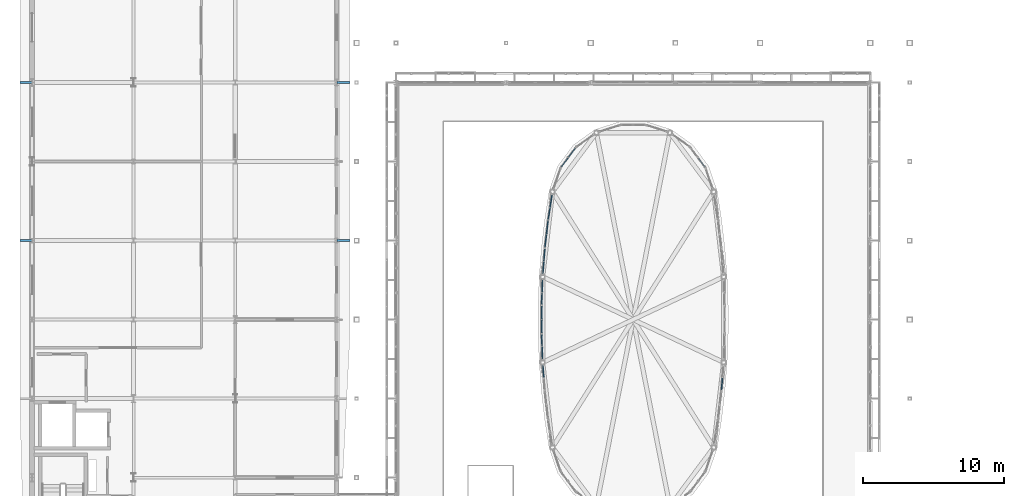
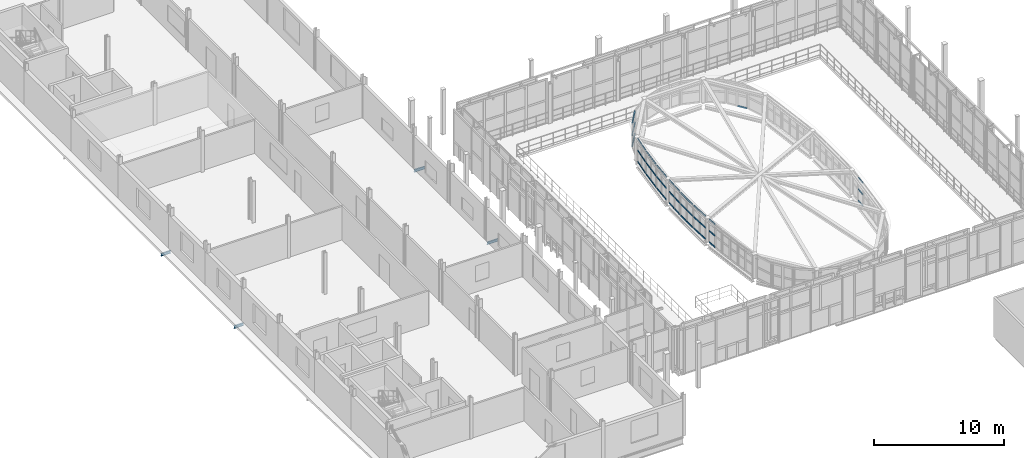
# One storey, part 46 of 78: 49 members, 4 beams, 10 elements without a shape of their own.
"""IFC4 building model written with IfcOpenShell, lengths in metres."""

import ifcopenshell
import ifcopenshell.guid

model = None  # the IFC model being written
_history = None  # IfcOwnerHistory: only IFC2X3 demands one
_inside = {}  # id of a spatial element -> (the spatial element, [elements in it])
_under = {}  # id of a project, library or spatial element -> (it, [spatial elements below it])
_declared = {}  # id of a project -> (the project, [libraries it declares])
_typed = {}  # id of a type object -> (the type object, [elements of that type])
_made_of = {}  # id of a material, layer set ... -> (it, [elements and type objects made of it])


def new_model(schema):
    """Start an empty IFC model of exactly this schema.

    Asked for "IFC4X3", IfcOpenShell would pick the latest addendum, in which some entities
    have other attributes; the version numbers below select the first issue.
    IFC2X3 requires an IfcOwnerHistory on every rooted entity: one is made here for all.
    """
    global model, _history
    if schema == "IFC4X3":
        model = ifcopenshell.file(schema_version=(4, 3, 0, 0))
    else:
        model = ifcopenshell.file(schema=schema)
    _inside.clear()
    _under.clear()
    _declared.clear()
    _typed.clear()
    _made_of.clear()
    _history = None
    if model.schema == "IFC2X3":
        org = make("IfcOrganization", Name="unknown")
        user = make(
            "IfcPersonAndOrganization",
            ThePerson=make("IfcPerson", FamilyName="unknown"),
            TheOrganization=org,
        )
        app = make(
            "IfcApplication",
            ApplicationDeveloper=org,
            Version="unknown",
            ApplicationFullName="unknown",
            ApplicationIdentifier="unknown",
        )
        _history = make(
            "IfcOwnerHistory",
            OwningUser=user,
            OwningApplication=app,
            ChangeAction="ADDED",
            CreationDate=0,
        )
    return model


def make(cls, **values):
    """One entity of the class cls with the attributes given. An attribute that is None is left unset."""
    return model.create_entity(
        cls, **{name: value for name, value in values.items() if value is not None}
    )


def rooted(cls, **values):
    """An entity with a GlobalId (a new one), such as an element, a storey or a relation."""
    return make(cls, GlobalId=ifcopenshell.guid.new(), OwnerHistory=_history, **values)


def si_unit(unit_type, name, prefix=None):
    """IfcSIUnit, for example si_unit("LENGTHUNIT", "METRE", prefix="MILLI")."""
    return make("IfcSIUnit", UnitType=unit_type, Prefix=prefix, Name=name)


def assignment(units):
    """IfcUnitAssignment: the units of a project."""
    return None if units is None else make("IfcUnitAssignment", Units=units)


def point(xyz):
    """IfcCartesianPoint."""
    return None if xyz is None else make("IfcCartesianPoint", Coordinates=xyz)


def direction(xyz):
    """IfcDirection."""
    return None if xyz is None else make("IfcDirection", DirectionRatios=xyz)


def frame(location, z_axis=None, x_axis=None):
    """IfcAxis2Placement3D, a coordinate frame: its origin and axes. An axis left out is left unset."""
    return make(
        "IfcAxis2Placement3D",
        Location=point(location),
        Axis=direction(z_axis),
        RefDirection=direction(x_axis),
    )


def frame_2d(location, x_axis=None):
    """IfcAxis2Placement2D, a coordinate frame in the plane: its origin and x axis."""
    return make(
        "IfcAxis2Placement2D", Location=point(location), RefDirection=direction(x_axis)
    )


def origin():
    """The frame at (0, 0, 0) with its axes left unset."""
    return frame((0.0, 0.0, 0.0))


def origin_2d():
    """The frame at (0, 0) in the plane with its x axis left unset."""
    return frame_2d((0.0, 0.0))


def place(relative_to, where):
    """IfcLocalPlacement: puts the frame where relative to a parent placement (None: the world)."""
    return make(
        "IfcLocalPlacement", PlacementRelTo=relative_to, RelativePlacement=where
    )


def context(
    kind, dimensions, precision=None, world=None, true_north=None, identifier=None
):
    """IfcGeometricRepresentationContext, for example the 3D "Model" context."""
    return make(
        "IfcGeometricRepresentationContext",
        ContextIdentifier=identifier,
        ContextType=kind,
        CoordinateSpaceDimension=dimensions,
        Precision=precision,
        WorldCoordinateSystem=world,
        TrueNorth=true_north,
    )


def subcontext(parent, identifier, kind, view, scale=None):
    """IfcGeometricRepresentationSubContext, for example "Body" below "Model"."""
    return make(
        "IfcGeometricRepresentationSubContext",
        ContextIdentifier=identifier,
        ContextType=kind,
        ParentContext=parent,
        TargetScale=scale,
        TargetView=view,
    )


def project(units=None, contexts=None):
    """IfcProject with its units and contexts."""
    return rooted(
        "IfcProject",
        Name="project",
        RepresentationContexts=contexts,
        UnitsInContext=assignment(units),
    )


def spatial(cls, under=None, at=None, **own):
    """A site, building, storey or space (cls), placed at a placement, below another one or the project."""
    s = rooted(cls, ObjectPlacement=at, **own)
    if under is not None:
        _under.setdefault(under.id(), (under, []))[1].append(s)
    return s


def profile(cls, at=None, kind="AREA", **sizes):
    """A parametric profile (cls). Its sizes go by their IFC names, for example OverallWidth=200.0."""
    return make(cls, ProfileType=kind, Position=at, **sizes)


def hollow_rectangle(**sizes):
    """IfcRectangleHollowProfileDef."""
    return profile("IfcRectangleHollowProfileDef", **sizes)


def i_section(**sizes):
    """IfcIShapeProfileDef."""
    return profile("IfcIShapeProfileDef", **sizes)


def extrude(swept, where, along, depth):
    """IfcExtrudedAreaSolid: the profile swept, set in the frame where, extruded along a direction by depth."""
    return make(
        "IfcExtrudedAreaSolid",
        SweptArea=swept,
        Position=where,
        ExtrudedDirection=direction(along),
        Depth=depth,
    )


def shape(context_of_items, identifier, shape_type, items):
    """IfcShapeRepresentation: the items that make up one representation, for example the "Body"."""
    return make(
        "IfcShapeRepresentation",
        ContextOfItems=context_of_items,
        RepresentationIdentifier=identifier,
        RepresentationType=shape_type,
        Items=items,
    )


def material(Name=None, Category=None):
    """IfcMaterial."""
    return make("IfcMaterial", Name=Name, Category=Category)


def layer(
    of_material, thickness, ventilated=None, Name=None, Category=None, Priority=None
):
    """IfcMaterialLayer: one layer of a wall or slab, of a material (None: an air gap)."""
    return make(
        "IfcMaterialLayer",
        Material=of_material,
        LayerThickness=thickness,
        IsVentilated=ventilated,
        Name=Name,
        Category=Category,
        Priority=Priority,
    )


def layer_set(layers, Name=None):
    """IfcMaterialLayerSet."""
    return make("IfcMaterialLayerSet", MaterialLayers=layers, LayerSetName=Name)


def material_profile(
    of_material, cross_section, Name=None, Category=None, Priority=None
):
    """IfcMaterialProfile: a cross section and its material."""
    return make(
        "IfcMaterialProfile",
        Name=Name,
        Material=of_material,
        Profile=cross_section,
        Priority=Priority,
        Category=Category,
    )


def profile_set(profiles, Name=None, composite=None):
    """IfcMaterialProfileSet."""
    return make(
        "IfcMaterialProfileSet",
        Name=Name,
        MaterialProfiles=profiles,
        CompositeProfile=composite,
    )


def made_of(thing, what):
    """Note that an element or type object is made of a material, layer set ...; save() writes the relation."""
    if what is not None:
        _made_of.setdefault(what.id(), (what, []))[1].append(thing)
    return thing


def type_object(cls, material=None, **own):
    """A type object (cls), such as IfcWallType, which elements share."""
    return made_of(rooted(cls, **own), material)


def element(
    cls,
    number,
    at=None,
    inside=None,
    cuts=None,
    type_object=None,
    material=None,
    context=None,
    identifier="Body",
    shape_type=None,
    held_by="IfcProductDefinitionShape",
    body=None,
    shapes=None,
    **own,
):
    """One element of the class cls, such as IfcWall. Its Tag is "e" and its number.

    at: its placement. inside: the storey or other place that contains it. cuts: it is an
    opening in that element (IfcRelVoidsElement). A single representation is given by context,
    identifier, shape_type and body (its items); several are given by shapes. held_by: the class
    of the entity that holds the representations. save() writes the other relations.
    """
    e = rooted(cls, Tag="e%d" % number, ObjectPlacement=at, **own)
    if body is not None:
        shapes = [shape(context, identifier, shape_type, body)]
    if shapes is not None:
        e.Representation = make(held_by, Representations=shapes)
    if inside is not None:
        _inside.setdefault(inside.id(), (inside, []))[1].append(e)
    if cuts is not None:
        rooted(
            "IfcRelVoidsElement", RelatingBuildingElement=cuts, RelatedOpeningElement=e
        )
    if type_object is not None:
        _typed.setdefault(type_object.id(), (type_object, []))[1].append(e)
    return made_of(e, material)


def aggregate(whole, parts):
    """IfcRelAggregates: a whole, such as a stair, and the parts it consists of."""
    return rooted("IfcRelAggregates", RelatingObject=whole, RelatedObjects=parts)


def save(model, path):
    """Write the relations noted so far, then the file.

    IfcRelAggregates (storeys below a building ...), IfcRelContainedInSpatialStructure (elements
    in a storey), IfcRelDefinesByType, IfcRelAssociatesMaterial and IfcRelDeclares: one each for
    every whole, place, type object, material and project.
    """
    for whole, parts in _under.values():
        aggregate(whole, parts)
    for where, things in _inside.values():
        rooted(
            "IfcRelContainedInSpatialStructure",
            RelatedElements=things,
            RelatingStructure=where,
        )
    for kind, things in _typed.values():
        rooted("IfcRelDefinesByType", RelatedObjects=things, RelatingType=kind)
    for what, things in _made_of.values():
        rooted("IfcRelAssociatesMaterial", RelatedObjects=things, RelatingMaterial=what)
    for by, libraries in _declared.values():
        rooted("IfcRelDeclares", RelatingContext=by, RelatedDefinitions=libraries)
    model.write(path)


model = new_model("IFC4")

# Units and contexts
model_context = context("Model", 3, precision=1e-05, world=origin(), true_north=direction((0.0, 1.0)))
body_context = subcontext(model_context, "Body", "Model", "MODEL_VIEW")
ifc_project = project(units=[si_unit("LENGTHUNIT", "METRE"), si_unit("AREAUNIT", "SQUARE_METRE"), si_unit("VOLUMEUNIT", "CUBIC_METRE"), si_unit("PLANEANGLEUNIT", "RADIAN"), si_unit("MASSUNIT", "GRAM", prefix="KILO")], contexts=[model_context])

# Site, building, storey
site_placement = place(None, origin())
site = spatial("IfcSite", under=ifc_project, at=site_placement, CompositionType="ELEMENT")
building_placement = place(site_placement, origin())
building = spatial("IfcBuilding", under=site, at=building_placement, Name="Vinh Khe Railworks Police Headquarters", CompositionType="ELEMENT")
storey_placement = place(building_placement, frame((0.0, 0.0, 13.199951171875)))
storey = spatial("IfcBuildingStorey", under=building, at=storey_placement, Name="L03", CompositionType="ELEMENT", Elevation=13.199951171875)

# Beams
ifc_material_1 = material(Name="Steel S355JR", Category="steel")
ifc_material_profile_1 = material_profile(ifc_material_1, i_section(OverallWidth=0.1201171875, OverallDepth=0.239990234375, WebThickness=0.006103515625, FlangeThickness=0.009765625, FilletRadius=0.014892578125, at=origin_2d()), Name="IPE 240")
ifc_profile_set_1 = profile_set([ifc_material_profile_1], Name="Steel S355JR")
beam_type = type_object("IfcBeamType", Name="Monsoon Hood Outrigger IPE 240", PredefinedType="BEAM", material=ifc_profile_set_1)
for number, where, z_axis, x_axis, name in (
    (1, (-0.25, 47.60009765625, -0.35986328125), (1.0, 0.0, 0.0), (0.0, 1.0, 0.0), "Monsoon Sun-Hood Outrigger L03-044"),
    (2, (-0.25, 58.800048828125, -0.35986328125), (1.0, 0.0, 0.0), (0.0, 1.0, 0.0), "Monsoon Sun-Hood Outrigger L03-045"),
):
    element("IfcBeam", number, at=place(storey_placement, frame(where, z_axis=z_axis, x_axis=x_axis)), inside=storey, type_object=beam_type, Name=name, PredefinedType="BEAM", context=body_context, shape_type="SweptSolid", body=[
        extrude(i_section(OverallWidth=0.1201171875, OverallDepth=0.239990234375, WebThickness=0.006103515625, FlangeThickness=0.009765625, FilletRadius=0.014892578125, at=origin_2d()), origin(), (0.0, 0.0, 1.0), 0.85009765625),
    ])
for number, where, z_axis, x_axis, name in (
    (3, (22.199951171875, 47.60009765625, -0.35986328125), (1.0, 0.0, 0.0), (0.0, 1.0, 0.0), "Monsoon Sun-Hood Outrigger L03-054"),
    (4, (22.199951171875, 58.800048828125, -0.35986328125), (1.0, 0.0, 0.0), (0.0, 1.0, 0.0), "Monsoon Sun-Hood Outrigger L03-055"),
):
    element("IfcBeam", number, at=place(storey_placement, frame(where, z_axis=z_axis, x_axis=x_axis)), inside=storey, type_object=beam_type, Name=name, PredefinedType="BEAM", context=body_context, shape_type="SweptSolid", body=[
        extrude(i_section(OverallWidth=0.1201171875, OverallDepth=0.239990234375, WebThickness=0.006103515625, FlangeThickness=0.009765625, FilletRadius=0.014892578125, at=origin_2d()), origin(), (0.0, 0.0, 1.0), 0.949951171875),
    ])

# Curtain wall, members
ifc_material_2 = material(Name="Anodised aluminium and acoustic laminated glass", Category="aluminium")
ifc_layer = layer(ifc_material_2, 0.159912109375)
ifc_layer_set = layer_set([ifc_layer], Name="Anodised aluminium and acoustic laminated glass")
curtain_wall_type = type_object("IfcCurtainWallType", Name="CW-DRUM-CHORD", PredefinedType="USERDEFINED", material=ifc_layer_set)
curtain_wall_1_placement = place(storey_placement, origin())
curtain_wall_1 = element("IfcCurtainWall", 5, at=curtain_wall_1_placement, inside=storey, type_object=curtain_wall_type, Name="Elliptical Command Drum Glazing L03 Chord 3", ObjectType="DRUM FACADE GLAZING", PredefinedType="USERDEFINED")
ifc_material_3 = material(Name="Anodised aluminium 6063-T6", Category="aluminium")
ifc_material_profile_2 = material_profile(ifc_material_3, hollow_rectangle(XDim=0.06494140625, YDim=0.139892578125, WallThickness=0.00390625, at=origin_2d()), Name="CW-T 65x140x4")
ifc_profile_set_2 = profile_set([ifc_material_profile_2], Name="Anodised aluminium 6063-T6")
member_type = type_object("IfcMemberType", Name="TRAN-CWT-02", PredefinedType="USERDEFINED", material=ifc_profile_set_2)
member_1_placement = place(storey_placement, frame((49.461669921875, 37.016357421875, 0.032470703125), z_axis=(0.07715031633, 0.997019472573, 0.0), x_axis=(-0.997019472573, 0.07715031633, 0.0)))
member_1 = element("IfcMember", 6, at=member_1_placement, type_object=member_type, Name="CW-02 transom 1.1", ObjectType="TRANSOM", PredefinedType="USERDEFINED", context=body_context, shape_type="SweptSolid", body=[
    extrude(hollow_rectangle(XDim=0.06494140625, YDim=0.139892578125, WallThickness=0.00390625, at=origin_2d()), origin(), (0.0, 0.0, 1.0), 0.82275390625),
])
member_2_placement = place(storey_placement, frame((49.461669921875, 37.016357421875, 1.090087890625), z_axis=(0.07715031633, 0.997019472573, 0.0), x_axis=(-0.997019472573, 0.07715031633, 0.0)))
member_2 = element("IfcMember", 7, at=member_2_placement, type_object=member_type, Name="CW-02 transom 1.2", ObjectType="TRANSOM", PredefinedType="USERDEFINED", context=body_context, shape_type="SweptSolid", body=[
    extrude(hollow_rectangle(XDim=0.06494140625, YDim=0.139892578125, WallThickness=0.00390625, at=origin_2d()), origin(), (0.0, 0.0, 1.0), 0.82275390625),
])
member_3_placement = place(storey_placement, frame((49.461669921875, 37.016357421875, 2.1474609375), z_axis=(0.07715031633, 0.997019472573, 0.0), x_axis=(-0.997019472573, 0.07715031633, 0.0)))
member_3 = element("IfcMember", 8, at=member_3_placement, type_object=member_type, Name="CW-02 transom 1.3", ObjectType="TRANSOM", PredefinedType="USERDEFINED", context=body_context, shape_type="SweptSolid", body=[
    extrude(hollow_rectangle(XDim=0.06494140625, YDim=0.139892578125, WallThickness=0.00390625, at=origin_2d()), origin(), (0.0, 0.0, 1.0), 0.82275390625),
])
aggregate(curtain_wall_1, [member_1, member_2, member_3])

# Curtain wall, member
curtain_wall_2_placement = place(storey_placement, origin())
curtain_wall_2 = element("IfcCurtainWall", 9, at=curtain_wall_2_placement, inside=storey, type_object=curtain_wall_type, Name="Elliptical Command Drum Glazing L03 Chord 11", ObjectType="DRUM FACADE GLAZING", PredefinedType="USERDEFINED")
member_4_placement = place(storey_placement, frame((48.29541015625, 52.805908203125, 0.032470703125), z_axis=(-0.596672514384, 0.802484835108, 0.0), x_axis=(-0.802484835108, -0.596672514384, 0.0)))
member_4 = element("IfcMember", 10, at=member_4_placement, type_object=member_type, Name="CW-02 transom 1.1", ObjectType="TRANSOM", PredefinedType="USERDEFINED", context=body_context, shape_type="SweptSolid", body=[
    extrude(hollow_rectangle(XDim=0.06494140625, YDim=0.139892578125, WallThickness=0.00390625, at=origin_2d()), origin(), (0.0, 0.0, 1.0), 0.799560546875),
])
aggregate(curtain_wall_2, [member_4])

# Curtain wall, members
curtain_wall_3_placement = place(storey_placement, origin())
curtain_wall_3 = element("IfcCurtainWall", 11, at=curtain_wall_3_placement, inside=storey, type_object=curtain_wall_type, Name="Elliptical Command Drum Glazing L03 Chord 17", ObjectType="DRUM FACADE GLAZING", PredefinedType="USERDEFINED")
member_5_placement = place(storey_placement, frame((39.09716796875, 54.141357421875, 0.032470703125), z_axis=(-0.596475814623, -0.802631050091, 0.0), x_axis=(0.802631050091, -0.596475814623, 0.0)))
member_5 = element("IfcMember", 12, at=member_5_placement, type_object=member_type, Name="CW-02 transom 1.1", ObjectType="TRANSOM", PredefinedType="USERDEFINED", context=body_context, shape_type="SweptSolid", body=[
    extrude(hollow_rectangle(XDim=0.06494140625, YDim=0.139892578125, WallThickness=0.00390625, at=origin_2d()), origin(), (0.0, 0.0, 1.0), 0.79931640625),
])
member_6_placement = place(storey_placement, frame((39.09716796875, 54.141357421875, 1.090087890625), z_axis=(-0.596475814623, -0.802631050091, 0.0), x_axis=(0.802631050091, -0.596475814623, 0.0)))
member_6 = element("IfcMember", 13, at=member_6_placement, type_object=member_type, Name="CW-02 transom 1.2", ObjectType="TRANSOM", PredefinedType="USERDEFINED", context=body_context, shape_type="SweptSolid", body=[
    extrude(hollow_rectangle(XDim=0.06494140625, YDim=0.139892578125, WallThickness=0.00390625, at=origin_2d()), origin(), (0.0, 0.0, 1.0), 0.79931640625),
])
member_7_placement = place(storey_placement, frame((39.09716796875, 54.141357421875, 2.1474609375), z_axis=(-0.596475814623, -0.802631050091, 0.0), x_axis=(0.802631050091, -0.596475814623, 0.0)))
member_7 = element("IfcMember", 14, at=member_7_placement, type_object=member_type, Name="CW-02 transom 1.3", ObjectType="TRANSOM", PredefinedType="USERDEFINED", context=body_context, shape_type="SweptSolid", body=[
    extrude(hollow_rectangle(XDim=0.06494140625, YDim=0.139892578125, WallThickness=0.00390625, at=origin_2d()), origin(), (0.0, 0.0, 1.0), 0.79931640625),
])
member_8_placement = place(storey_placement, frame((38.58154296875, 53.447509765625, 0.032470703125), z_axis=(-0.596475814623, -0.802631050091, 0.0), x_axis=(0.802631050091, -0.596475814623, 0.0)))
member_8 = element("IfcMember", 15, at=member_8_placement, type_object=member_type, Name="CW-02 transom 2.1", ObjectType="TRANSOM", PredefinedType="USERDEFINED", context=body_context, shape_type="SweptSolid", body=[
    extrude(hollow_rectangle(XDim=0.06494140625, YDim=0.139892578125, WallThickness=0.00390625, at=origin_2d()), origin(), (0.0, 0.0, 1.0), 0.79931640625),
])
member_9_placement = place(storey_placement, frame((38.58154296875, 53.447509765625, 1.090087890625), z_axis=(-0.596475814623, -0.802631050091, 0.0), x_axis=(0.802631050091, -0.596475814623, 0.0)))
member_9 = element("IfcMember", 16, at=member_9_placement, type_object=member_type, Name="CW-02 transom 2.2", ObjectType="TRANSOM", PredefinedType="USERDEFINED", context=body_context, shape_type="SweptSolid", body=[
    extrude(hollow_rectangle(XDim=0.06494140625, YDim=0.139892578125, WallThickness=0.00390625, at=origin_2d()), origin(), (0.0, 0.0, 1.0), 0.79931640625),
])
member_10_placement = place(storey_placement, frame((38.58154296875, 53.447509765625, 2.1474609375), z_axis=(-0.596475814623, -0.802631050091, 0.0), x_axis=(0.802631050091, -0.596475814623, 0.0)))
member_10 = element("IfcMember", 17, at=member_10_placement, type_object=member_type, Name="CW-02 transom 2.3", ObjectType="TRANSOM", PredefinedType="USERDEFINED", context=body_context, shape_type="SweptSolid", body=[
    extrude(hollow_rectangle(XDim=0.06494140625, YDim=0.139892578125, WallThickness=0.00390625, at=origin_2d()), origin(), (0.0, 0.0, 1.0), 0.79931640625),
])
aggregate(curtain_wall_3, [member_5, member_6, member_7, member_8, member_9, member_10])

curtain_wall_4_placement = place(storey_placement, origin())
curtain_wall_4 = element("IfcCurtainWall", 18, at=curtain_wall_4_placement, inside=storey, type_object=curtain_wall_type, Name="Elliptical Command Drum Glazing L03 Chord 19", ObjectType="DRUM FACADE GLAZING", PredefinedType="USERDEFINED")
member_11_placement = place(storey_placement, frame((37.448974609375, 50.811767578125, 0.032470703125), z_axis=(-0.153417265336, -0.988161496263, 0.0), x_axis=(0.988161496263, -0.153417265336, 0.0)))
member_11 = element("IfcMember", 19, at=member_11_placement, type_object=member_type, Name="CW-02 transom 1.1", ObjectType="TRANSOM", PredefinedType="USERDEFINED", context=body_context, shape_type="SweptSolid", body=[
    extrude(hollow_rectangle(XDim=0.06494140625, YDim=0.139892578125, WallThickness=0.00390625, at=origin_2d()), origin(), (0.0, 0.0, 1.0), 0.82275390625),
])
member_12_placement = place(storey_placement, frame((37.448974609375, 50.811767578125, 1.090087890625), z_axis=(-0.153417265336, -0.988161496263, 0.0), x_axis=(0.988161496263, -0.153417265336, 0.0)))
member_12 = element("IfcMember", 20, at=member_12_placement, type_object=member_type, Name="CW-02 transom 1.2", ObjectType="TRANSOM", PredefinedType="USERDEFINED", context=body_context, shape_type="SweptSolid", body=[
    extrude(hollow_rectangle(XDim=0.06494140625, YDim=0.139892578125, WallThickness=0.00390625, at=origin_2d()), origin(), (0.0, 0.0, 1.0), 0.82275390625),
])
member_13_placement = place(storey_placement, frame((37.448974609375, 50.811767578125, 2.1474609375), z_axis=(-0.153417265336, -0.988161496263, 0.0), x_axis=(0.988161496263, -0.153417265336, 0.0)))
member_13 = element("IfcMember", 21, at=member_13_placement, type_object=member_type, Name="CW-02 transom 1.3", ObjectType="TRANSOM", PredefinedType="USERDEFINED", context=body_context, shape_type="SweptSolid", body=[
    extrude(hollow_rectangle(XDim=0.06494140625, YDim=0.139892578125, WallThickness=0.00390625, at=origin_2d()), origin(), (0.0, 0.0, 1.0), 0.82275390625),
])
member_14_placement = place(storey_placement, frame((37.312744140625, 49.9345703125, 0.032470703125), z_axis=(-0.153417265336, -0.988161496263, 0.0), x_axis=(0.988161496263, -0.153417265336, 0.0)))
member_14 = element("IfcMember", 22, at=member_14_placement, type_object=member_type, Name="CW-02 transom 2.1", ObjectType="TRANSOM", PredefinedType="USERDEFINED", context=body_context, shape_type="SweptSolid", body=[
    extrude(hollow_rectangle(XDim=0.06494140625, YDim=0.139892578125, WallThickness=0.00390625, at=origin_2d()), origin(), (0.0, 0.0, 1.0), 0.82275390625),
])
member_15_placement = place(storey_placement, frame((37.312744140625, 49.9345703125, 1.090087890625), z_axis=(-0.153417265336, -0.988161496263, 0.0), x_axis=(0.988161496263, -0.153417265336, 0.0)))
member_15 = element("IfcMember", 23, at=member_15_placement, type_object=member_type, Name="CW-02 transom 2.2", ObjectType="TRANSOM", PredefinedType="USERDEFINED", context=body_context, shape_type="SweptSolid", body=[
    extrude(hollow_rectangle(XDim=0.06494140625, YDim=0.139892578125, WallThickness=0.00390625, at=origin_2d()), origin(), (0.0, 0.0, 1.0), 0.82275390625),
])
member_16_placement = place(storey_placement, frame((37.312744140625, 49.9345703125, 2.1474609375), z_axis=(-0.153417265336, -0.988161496263, 0.0), x_axis=(0.988161496263, -0.153417265336, 0.0)))
member_16 = element("IfcMember", 24, at=member_16_placement, type_object=member_type, Name="CW-02 transom 2.3", ObjectType="TRANSOM", PredefinedType="USERDEFINED", context=body_context, shape_type="SweptSolid", body=[
    extrude(hollow_rectangle(XDim=0.06494140625, YDim=0.139892578125, WallThickness=0.00390625, at=origin_2d()), origin(), (0.0, 0.0, 1.0), 0.82275390625),
])
aggregate(curtain_wall_4, [member_11, member_12, member_13, member_14, member_15, member_16])

curtain_wall_5_placement = place(storey_placement, origin())
curtain_wall_5 = element("IfcCurtainWall", 25, at=curtain_wall_5_placement, inside=storey, type_object=curtain_wall_type, Name="Elliptical Command Drum Glazing L03 Chord 20", ObjectType="DRUM FACADE GLAZING", PredefinedType="USERDEFINED")
member_17_placement = place(storey_placement, frame((37.1689453125, 48.992919921875, 0.032470703125), z_axis=(-0.115151416561, -0.993347950752, 0.0), x_axis=(0.993347950752, -0.115151416561, 0.0)))
member_17 = element("IfcMember", 26, at=member_17_placement, type_object=member_type, Name="CW-02 transom 1.1", ObjectType="TRANSOM", PredefinedType="USERDEFINED", context=body_context, shape_type="SweptSolid", body=[
    extrude(hollow_rectangle(XDim=0.06494140625, YDim=0.139892578125, WallThickness=0.00390625, at=origin_2d()), origin(), (0.0, 0.0, 1.0), 0.913818359375),
])
member_18_placement = place(storey_placement, frame((37.1689453125, 48.992919921875, 1.090087890625), z_axis=(-0.115151416561, -0.993347950752, 0.0), x_axis=(0.993347950752, -0.115151416561, 0.0)))
member_18 = element("IfcMember", 27, at=member_18_placement, type_object=member_type, Name="CW-02 transom 1.2", ObjectType="TRANSOM", PredefinedType="USERDEFINED", context=body_context, shape_type="SweptSolid", body=[
    extrude(hollow_rectangle(XDim=0.06494140625, YDim=0.139892578125, WallThickness=0.00390625, at=origin_2d()), origin(), (0.0, 0.0, 1.0), 0.913818359375),
])
member_19_placement = place(storey_placement, frame((37.1689453125, 48.992919921875, 2.1474609375), z_axis=(-0.115151416561, -0.993347950752, 0.0), x_axis=(0.993347950752, -0.115151416561, 0.0)))
member_19 = element("IfcMember", 28, at=member_19_placement, type_object=member_type, Name="CW-02 transom 1.3", ObjectType="TRANSOM", PredefinedType="USERDEFINED", context=body_context, shape_type="SweptSolid", body=[
    extrude(hollow_rectangle(XDim=0.06494140625, YDim=0.139892578125, WallThickness=0.00390625, at=origin_2d()), origin(), (0.0, 0.0, 1.0), 0.913818359375),
])
member_20_placement = place(storey_placement, frame((37.05615234375, 48.020751953125, 0.032470703125), z_axis=(-0.115415034378, -0.993317356055, 0.0), x_axis=(0.993317356055, -0.115415034378, 0.0)))
member_20 = element("IfcMember", 29, at=member_20_placement, type_object=member_type, Name="CW-02 transom 2.1", ObjectType="TRANSOM", PredefinedType="USERDEFINED", context=body_context, shape_type="SweptSolid", body=[
    extrude(hollow_rectangle(XDim=0.06494140625, YDim=0.139892578125, WallThickness=0.00390625, at=origin_2d()), origin(), (0.0, 0.0, 1.0), 0.913818359375),
])
member_21_placement = place(storey_placement, frame((37.05615234375, 48.020751953125, 1.090087890625), z_axis=(-0.115415034378, -0.993317356055, 0.0), x_axis=(0.993317356055, -0.115415034378, 0.0)))
member_21 = element("IfcMember", 30, at=member_21_placement, type_object=member_type, Name="CW-02 transom 2.2", ObjectType="TRANSOM", PredefinedType="USERDEFINED", context=body_context, shape_type="SweptSolid", body=[
    extrude(hollow_rectangle(XDim=0.06494140625, YDim=0.139892578125, WallThickness=0.00390625, at=origin_2d()), origin(), (0.0, 0.0, 1.0), 0.913818359375),
])
member_22_placement = place(storey_placement, frame((37.05615234375, 48.020751953125, 2.1474609375), z_axis=(-0.115415034378, -0.993317356055, 0.0), x_axis=(0.993317356055, -0.115415034378, 0.0)))
member_22 = element("IfcMember", 31, at=member_22_placement, type_object=member_type, Name="CW-02 transom 2.3", ObjectType="TRANSOM", PredefinedType="USERDEFINED", context=body_context, shape_type="SweptSolid", body=[
    extrude(hollow_rectangle(XDim=0.06494140625, YDim=0.139892578125, WallThickness=0.00390625, at=origin_2d()), origin(), (0.0, 0.0, 1.0), 0.913818359375),
])
aggregate(curtain_wall_5, [member_17, member_18, member_19, member_20, member_21, member_22])

curtain_wall_6_placement = place(storey_placement, origin())
curtain_wall_6 = element("IfcCurtainWall", 32, at=curtain_wall_6_placement, inside=storey, type_object=curtain_wall_type, Name="Elliptical Command Drum Glazing L03 Chord 21", ObjectType="DRUM FACADE GLAZING", PredefinedType="USERDEFINED")
member_23_placement = place(storey_placement, frame((36.938232421875, 46.983642578125, 0.032470703125), z_axis=(-0.076855340427, -0.997042254194, 0.0), x_axis=(0.997042254194, -0.076855340427, 0.0)))
member_23 = element("IfcMember", 33, at=member_23_placement, type_object=member_type, Name="CW-02 transom 1.1", ObjectType="TRANSOM", PredefinedType="USERDEFINED", context=body_context, shape_type="SweptSolid", body=[
    extrude(hollow_rectangle(XDim=0.06494140625, YDim=0.139892578125, WallThickness=0.00390625, at=origin_2d()), origin(), (0.0, 0.0, 1.0), 0.82275390625),
])
member_24_placement = place(storey_placement, frame((36.938232421875, 46.983642578125, 1.090087890625), z_axis=(-0.076855340427, -0.997042254194, 0.0), x_axis=(0.997042254194, -0.076855340427, 0.0)))
member_24 = element("IfcMember", 34, at=member_24_placement, type_object=member_type, Name="CW-02 transom 1.2", ObjectType="TRANSOM", PredefinedType="USERDEFINED", context=body_context, shape_type="SweptSolid", body=[
    extrude(hollow_rectangle(XDim=0.06494140625, YDim=0.139892578125, WallThickness=0.00390625, at=origin_2d()), origin(), (0.0, 0.0, 1.0), 0.82275390625),
])
member_25_placement = place(storey_placement, frame((36.938232421875, 46.983642578125, 2.1474609375), z_axis=(-0.076855340427, -0.997042254194, 0.0), x_axis=(0.997042254194, -0.076855340427, 0.0)))
member_25 = element("IfcMember", 35, at=member_25_placement, type_object=member_type, Name="CW-02 transom 1.3", ObjectType="TRANSOM", PredefinedType="USERDEFINED", context=body_context, shape_type="SweptSolid", body=[
    extrude(hollow_rectangle(XDim=0.06494140625, YDim=0.139892578125, WallThickness=0.00390625, at=origin_2d()), origin(), (0.0, 0.0, 1.0), 0.82275390625),
])
member_26_placement = place(storey_placement, frame((36.869873046875, 46.0986328125, 0.032470703125), z_axis=(-0.076855340427, -0.997042254194, 0.0), x_axis=(0.997042254194, -0.076855340427, 0.0)))
member_26 = element("IfcMember", 36, at=member_26_placement, type_object=member_type, Name="CW-02 transom 2.1", ObjectType="TRANSOM", PredefinedType="USERDEFINED", context=body_context, shape_type="SweptSolid", body=[
    extrude(hollow_rectangle(XDim=0.06494140625, YDim=0.139892578125, WallThickness=0.00390625, at=origin_2d()), origin(), (0.0, 0.0, 1.0), 0.82275390625),
])
member_27_placement = place(storey_placement, frame((36.869873046875, 46.0986328125, 1.090087890625), z_axis=(-0.076855340427, -0.997042254194, 0.0), x_axis=(0.997042254194, -0.076855340427, 0.0)))
member_27 = element("IfcMember", 37, at=member_27_placement, type_object=member_type, Name="CW-02 transom 2.2", ObjectType="TRANSOM", PredefinedType="USERDEFINED", context=body_context, shape_type="SweptSolid", body=[
    extrude(hollow_rectangle(XDim=0.06494140625, YDim=0.139892578125, WallThickness=0.00390625, at=origin_2d()), origin(), (0.0, 0.0, 1.0), 0.82275390625),
])
member_28_placement = place(storey_placement, frame((36.869873046875, 46.0986328125, 2.1474609375), z_axis=(-0.076855340427, -0.997042254194, 0.0), x_axis=(0.997042254194, -0.076855340427, 0.0)))
member_28 = element("IfcMember", 38, at=member_28_placement, type_object=member_type, Name="CW-02 transom 2.3", ObjectType="TRANSOM", PredefinedType="USERDEFINED", context=body_context, shape_type="SweptSolid", body=[
    extrude(hollow_rectangle(XDim=0.06494140625, YDim=0.139892578125, WallThickness=0.00390625, at=origin_2d()), origin(), (0.0, 0.0, 1.0), 0.82275390625),
])
aggregate(curtain_wall_6, [member_23, member_24, member_25, member_26, member_27, member_28])

curtain_wall_7_placement = place(storey_placement, origin())
curtain_wall_7 = element("IfcCurtainWall", 39, at=curtain_wall_7_placement, inside=storey, type_object=curtain_wall_type, Name="Elliptical Command Drum Glazing L03 Chord 22", ObjectType="DRUM FACADE GLAZING", PredefinedType="USERDEFINED")
member_29_placement = place(storey_placement, frame((36.778076171875, 44.785400390625, 0.032470703125), z_axis=(-0.038569853867, -0.999255906349, 0.0), x_axis=(0.999255906349, -0.038569853867, 0.0)))
member_29 = element("IfcMember", 40, at=member_29_placement, type_object=member_type, Name="CW-02 transom 1.1", ObjectType="TRANSOM", PredefinedType="USERDEFINED", context=body_context, shape_type="SweptSolid", body=[
    extrude(hollow_rectangle(XDim=0.06494140625, YDim=0.139892578125, WallThickness=0.00390625, at=origin_2d()), origin(), (0.0, 0.0, 1.0), 0.822998046875),
])
member_30_placement = place(storey_placement, frame((36.778076171875, 44.785400390625, 1.090087890625), z_axis=(-0.038569853867, -0.999255906349, 0.0), x_axis=(0.999255906349, -0.038569853867, 0.0)))
member_30 = element("IfcMember", 41, at=member_30_placement, type_object=member_type, Name="CW-02 transom 1.2", ObjectType="TRANSOM", PredefinedType="USERDEFINED", context=body_context, shape_type="SweptSolid", body=[
    extrude(hollow_rectangle(XDim=0.06494140625, YDim=0.139892578125, WallThickness=0.00390625, at=origin_2d()), origin(), (0.0, 0.0, 1.0), 0.822998046875),
])
member_31_placement = place(storey_placement, frame((36.778076171875, 44.785400390625, 2.1474609375), z_axis=(-0.038569853867, -0.999255906349, 0.0), x_axis=(0.999255906349, -0.038569853867, 0.0)))
member_31 = element("IfcMember", 42, at=member_31_placement, type_object=member_type, Name="CW-02 transom 1.3", ObjectType="TRANSOM", PredefinedType="USERDEFINED", context=body_context, shape_type="SweptSolid", body=[
    extrude(hollow_rectangle(XDim=0.06494140625, YDim=0.139892578125, WallThickness=0.00390625, at=origin_2d()), origin(), (0.0, 0.0, 1.0), 0.822998046875),
])
member_32_placement = place(storey_placement, frame((36.743896484375, 43.898193359375, 0.032470703125), z_axis=(-0.038581292077, -0.999255464785, 0.0), x_axis=(0.999255464785, -0.038581292077, 0.0)))
member_32 = element("IfcMember", 43, at=member_32_placement, type_object=member_type, Name="CW-02 transom 2.1", ObjectType="TRANSOM", PredefinedType="USERDEFINED", context=body_context, shape_type="SweptSolid", body=[
    extrude(hollow_rectangle(XDim=0.06494140625, YDim=0.139892578125, WallThickness=0.00390625, at=origin_2d()), origin(), (0.0, 0.0, 1.0), 0.82275390625),
])
member_33_placement = place(storey_placement, frame((36.743896484375, 43.898193359375, 1.090087890625), z_axis=(-0.038581292077, -0.999255464785, 0.0), x_axis=(0.999255464785, -0.038581292077, 0.0)))
member_33 = element("IfcMember", 44, at=member_33_placement, type_object=member_type, Name="CW-02 transom 2.2", ObjectType="TRANSOM", PredefinedType="USERDEFINED", context=body_context, shape_type="SweptSolid", body=[
    extrude(hollow_rectangle(XDim=0.06494140625, YDim=0.139892578125, WallThickness=0.00390625, at=origin_2d()), origin(), (0.0, 0.0, 1.0), 0.82275390625),
])
member_34_placement = place(storey_placement, frame((36.743896484375, 43.898193359375, 2.1474609375), z_axis=(-0.038581292077, -0.999255464785, 0.0), x_axis=(0.999255464785, -0.038581292077, 0.0)))
member_34 = element("IfcMember", 45, at=member_34_placement, type_object=member_type, Name="CW-02 transom 2.3", ObjectType="TRANSOM", PredefinedType="USERDEFINED", context=body_context, shape_type="SweptSolid", body=[
    extrude(hollow_rectangle(XDim=0.06494140625, YDim=0.139892578125, WallThickness=0.00390625, at=origin_2d()), origin(), (0.0, 0.0, 1.0), 0.82275390625),
])
aggregate(curtain_wall_7, [member_29, member_30, member_31, member_32, member_33, member_34])

curtain_wall_8_placement = place(storey_placement, origin())
curtain_wall_8 = element("IfcCurtainWall", 46, at=curtain_wall_8_placement, inside=storey, type_object=curtain_wall_type, Name="Elliptical Command Drum Glazing L03 Chord 23", ObjectType="DRUM FACADE GLAZING", PredefinedType="USERDEFINED")
member_35_placement = place(storey_placement, frame((36.709716796875, 42.9462890625, 0.032470703125), z_axis=(0.0, -1.0, 0.0), x_axis=(1.0, 0.0, 0.0)))
member_35 = element("IfcMember", 47, at=member_35_placement, type_object=member_type, Name="CW-02 transom 1.1", ObjectType="TRANSOM", PredefinedType="USERDEFINED", context=body_context, shape_type="SweptSolid", body=[
    extrude(hollow_rectangle(XDim=0.06494140625, YDim=0.139892578125, WallThickness=0.00390625, at=origin_2d()), origin(), (0.0, 0.0, 1.0), 0.913818359375),
])
member_36_placement = place(storey_placement, frame((36.709716796875, 42.9462890625, 1.090087890625), z_axis=(0.0, -1.0, 0.0), x_axis=(1.0, 0.0, 0.0)))
member_36 = element("IfcMember", 48, at=member_36_placement, type_object=member_type, Name="CW-02 transom 1.2", ObjectType="TRANSOM", PredefinedType="USERDEFINED", context=body_context, shape_type="SweptSolid", body=[
    extrude(hollow_rectangle(XDim=0.06494140625, YDim=0.139892578125, WallThickness=0.00390625, at=origin_2d()), origin(), (0.0, 0.0, 1.0), 0.913818359375),
])
member_37_placement = place(storey_placement, frame((36.709716796875, 42.9462890625, 2.1474609375), z_axis=(0.0, -1.0, 0.0), x_axis=(1.0, 0.0, 0.0)))
member_37 = element("IfcMember", 49, at=member_37_placement, type_object=member_type, Name="CW-02 transom 1.3", ObjectType="TRANSOM", PredefinedType="USERDEFINED", context=body_context, shape_type="SweptSolid", body=[
    extrude(hollow_rectangle(XDim=0.06494140625, YDim=0.139892578125, WallThickness=0.00390625, at=origin_2d()), origin(), (0.0, 0.0, 1.0), 0.913818359375),
])
member_38_placement = place(storey_placement, frame((36.709716796875, 41.967529296875, 0.032470703125), z_axis=(0.0, -1.0, 0.0), x_axis=(1.0, 0.0, 0.0)))
member_38 = element("IfcMember", 50, at=member_38_placement, type_object=member_type, Name="CW-02 transom 2.1", ObjectType="TRANSOM", PredefinedType="USERDEFINED", context=body_context, shape_type="SweptSolid", body=[
    extrude(hollow_rectangle(XDim=0.06494140625, YDim=0.139892578125, WallThickness=0.00390625, at=origin_2d()), origin(), (0.0, 0.0, 1.0), 0.913818359375),
])
member_39_placement = place(storey_placement, frame((36.709716796875, 41.967529296875, 1.090087890625), z_axis=(0.0, -1.0, 0.0), x_axis=(1.0, 0.0, 0.0)))
member_39 = element("IfcMember", 51, at=member_39_placement, type_object=member_type, Name="CW-02 transom 2.2", ObjectType="TRANSOM", PredefinedType="USERDEFINED", context=body_context, shape_type="SweptSolid", body=[
    extrude(hollow_rectangle(XDim=0.06494140625, YDim=0.139892578125, WallThickness=0.00390625, at=origin_2d()), origin(), (0.0, 0.0, 1.0), 0.913818359375),
])
member_40_placement = place(storey_placement, frame((36.709716796875, 41.967529296875, 2.1474609375), z_axis=(0.0, -1.0, 0.0), x_axis=(1.0, 0.0, 0.0)))
member_40 = element("IfcMember", 52, at=member_40_placement, type_object=member_type, Name="CW-02 transom 2.3", ObjectType="TRANSOM", PredefinedType="USERDEFINED", context=body_context, shape_type="SweptSolid", body=[
    extrude(hollow_rectangle(XDim=0.06494140625, YDim=0.139892578125, WallThickness=0.00390625, at=origin_2d()), origin(), (0.0, 0.0, 1.0), 0.913818359375),
])
aggregate(curtain_wall_8, [member_35, member_36, member_37, member_38, member_39, member_40])

curtain_wall_9_placement = place(storey_placement, origin())
curtain_wall_9 = element("IfcCurtainWall", 53, at=curtain_wall_9_placement, inside=storey, type_object=curtain_wall_type, Name="Elliptical Command Drum Glazing L03 Chord 24", ObjectType="DRUM FACADE GLAZING", PredefinedType="USERDEFINED")
member_41_placement = place(storey_placement, frame((36.712158203125, 40.923828125, 0.032470703125), z_axis=(0.038581292077, -0.999255464785, 0.0), x_axis=(0.999255464785, 0.038581292077, 0.0)))
member_41 = element("IfcMember", 54, at=member_41_placement, type_object=member_type, Name="CW-02 transom 1.1", ObjectType="TRANSOM", PredefinedType="USERDEFINED", context=body_context, shape_type="SweptSolid", body=[
    extrude(hollow_rectangle(XDim=0.06494140625, YDim=0.139892578125, WallThickness=0.00390625, at=origin_2d()), origin(), (0.0, 0.0, 1.0), 0.82275390625),
])
member_42_placement = place(storey_placement, frame((36.712158203125, 40.923828125, 1.090087890625), z_axis=(0.038581292077, -0.999255464785, 0.0), x_axis=(0.999255464785, 0.038581292077, 0.0)))
member_42 = element("IfcMember", 55, at=member_42_placement, type_object=member_type, Name="CW-02 transom 1.2", ObjectType="TRANSOM", PredefinedType="USERDEFINED", context=body_context, shape_type="SweptSolid", body=[
    extrude(hollow_rectangle(XDim=0.06494140625, YDim=0.139892578125, WallThickness=0.00390625, at=origin_2d()), origin(), (0.0, 0.0, 1.0), 0.82275390625),
])
member_43_placement = place(storey_placement, frame((36.712158203125, 40.923828125, 2.1474609375), z_axis=(0.038581292077, -0.999255464785, 0.0), x_axis=(0.999255464785, 0.038581292077, 0.0)))
member_43 = element("IfcMember", 56, at=member_43_placement, type_object=member_type, Name="CW-02 transom 1.3", ObjectType="TRANSOM", PredefinedType="USERDEFINED", context=body_context, shape_type="SweptSolid", body=[
    extrude(hollow_rectangle(XDim=0.06494140625, YDim=0.139892578125, WallThickness=0.00390625, at=origin_2d()), origin(), (0.0, 0.0, 1.0), 0.82275390625),
])
member_44_placement = place(storey_placement, frame((36.746337890625, 40.036865234375, 0.032470703125), z_axis=(0.038569853867, -0.999255906349, 0.0), x_axis=(0.999255906349, 0.038569853867, 0.0)))
member_44 = element("IfcMember", 57, at=member_44_placement, type_object=member_type, Name="CW-02 transom 2.1", ObjectType="TRANSOM", PredefinedType="USERDEFINED", context=body_context, shape_type="SweptSolid", body=[
    extrude(hollow_rectangle(XDim=0.06494140625, YDim=0.139892578125, WallThickness=0.00390625, at=origin_2d()), origin(), (0.0, 0.0, 1.0), 0.822998046875),
])
member_45_placement = place(storey_placement, frame((36.746337890625, 40.036865234375, 1.090087890625), z_axis=(0.038569853867, -0.999255906349, 0.0), x_axis=(0.999255906349, 0.038569853867, 0.0)))
member_45 = element("IfcMember", 58, at=member_45_placement, type_object=member_type, Name="CW-02 transom 2.2", ObjectType="TRANSOM", PredefinedType="USERDEFINED", context=body_context, shape_type="SweptSolid", body=[
    extrude(hollow_rectangle(XDim=0.06494140625, YDim=0.139892578125, WallThickness=0.00390625, at=origin_2d()), origin(), (0.0, 0.0, 1.0), 0.822998046875),
])
member_46_placement = place(storey_placement, frame((36.746337890625, 40.036865234375, 2.1474609375), z_axis=(0.038569853867, -0.999255906349, 0.0), x_axis=(0.999255906349, 0.038569853867, 0.0)))
member_46 = element("IfcMember", 59, at=member_46_placement, type_object=member_type, Name="CW-02 transom 2.3", ObjectType="TRANSOM", PredefinedType="USERDEFINED", context=body_context, shape_type="SweptSolid", body=[
    extrude(hollow_rectangle(XDim=0.06494140625, YDim=0.139892578125, WallThickness=0.00390625, at=origin_2d()), origin(), (0.0, 0.0, 1.0), 0.822998046875),
])
aggregate(curtain_wall_9, [member_41, member_42, member_43, member_44, member_45, member_46])

curtain_wall_10_placement = place(storey_placement, origin())
curtain_wall_10 = element("IfcCurtainWall", 60, at=curtain_wall_10_placement, inside=storey, type_object=curtain_wall_type, Name="Elliptical Command Drum Glazing L03 Chord 25", ObjectType="DRUM FACADE GLAZING", PredefinedType="USERDEFINED")
member_47_placement = place(storey_placement, frame((36.806640625, 38.7216796875, 0.032470703125), z_axis=(0.076855340427, -0.997042254194, 0.0), x_axis=(0.997042254194, 0.076855340427, 0.0)))
member_47 = element("IfcMember", 61, at=member_47_placement, type_object=member_type, Name="CW-02 transom 1.1", ObjectType="TRANSOM", PredefinedType="USERDEFINED", context=body_context, shape_type="SweptSolid", body=[
    extrude(hollow_rectangle(XDim=0.06494140625, YDim=0.139892578125, WallThickness=0.00390625, at=origin_2d()), origin(), (0.0, 0.0, 1.0), 0.82275390625),
])
member_48_placement = place(storey_placement, frame((36.806640625, 38.7216796875, 1.090087890625), z_axis=(0.076855340427, -0.997042254194, 0.0), x_axis=(0.997042254194, 0.076855340427, 0.0)))
member_48 = element("IfcMember", 62, at=member_48_placement, type_object=member_type, Name="CW-02 transom 1.2", ObjectType="TRANSOM", PredefinedType="USERDEFINED", context=body_context, shape_type="SweptSolid", body=[
    extrude(hollow_rectangle(XDim=0.06494140625, YDim=0.139892578125, WallThickness=0.00390625, at=origin_2d()), origin(), (0.0, 0.0, 1.0), 0.82275390625),
])
member_49_placement = place(storey_placement, frame((36.806640625, 38.7216796875, 2.1474609375), z_axis=(0.076855340427, -0.997042254194, 0.0), x_axis=(0.997042254194, 0.076855340427, 0.0)))
member_49 = element("IfcMember", 63, at=member_49_placement, type_object=member_type, Name="CW-02 transom 1.3", ObjectType="TRANSOM", PredefinedType="USERDEFINED", context=body_context, shape_type="SweptSolid", body=[
    extrude(hollow_rectangle(XDim=0.06494140625, YDim=0.139892578125, WallThickness=0.00390625, at=origin_2d()), origin(), (0.0, 0.0, 1.0), 0.82275390625),
])
aggregate(curtain_wall_10, [member_47, member_48, member_49])

save(model, "model.ifc")
